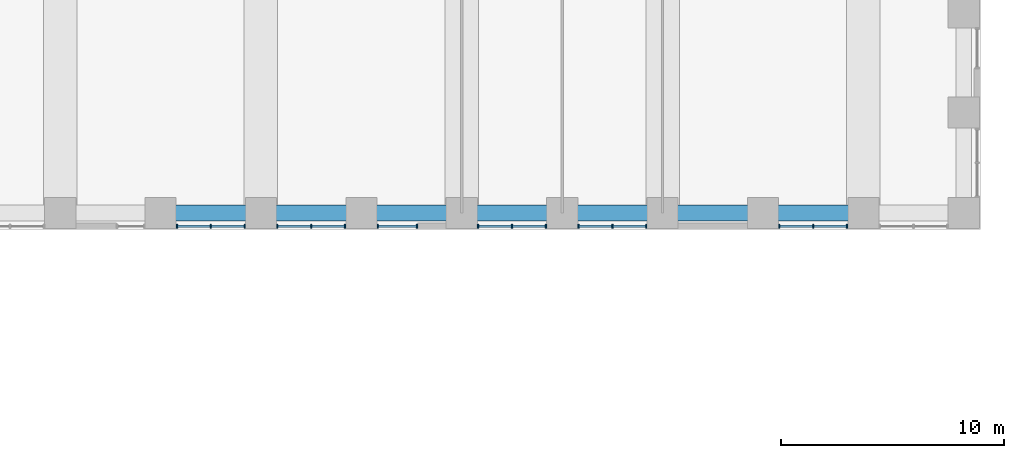
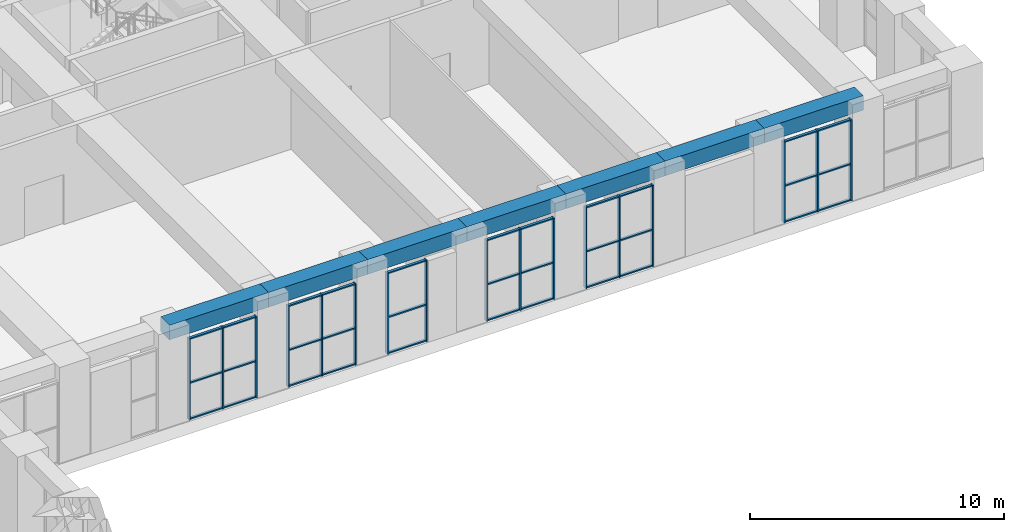
# One storey, part 6 of 30: 50 members, 7 beams, 6 elements without a shape of their own.
"""IFC4 building model written with IfcOpenShell, lengths in metres."""

from ifc_helpers import new_model, si_unit, direction, frame, origin, origin_2d, place, context, subcontext, project, spatial, rectangle, extrude, material, material_profile, profile_set, type_object, element, aggregate, save


model = new_model("IFC4")

# Units and contexts
model_context = context("Model", 3, precision=1e-05, world=origin(), true_north=direction((0.0, 1.0)))
body_context = subcontext(model_context, "Body", "Model", "MODEL_VIEW")
ifc_project = project(units=[si_unit("LENGTHUNIT", "METRE"), si_unit("AREAUNIT", "SQUARE_METRE"), si_unit("VOLUMEUNIT", "CUBIC_METRE"), si_unit("PLANEANGLEUNIT", "RADIAN"), si_unit("MASSUNIT", "GRAM", prefix="KILO")], contexts=[model_context])

# Site, building, storey
site_placement = place(None, origin())
site = spatial("IfcSite", under=ifc_project, at=site_placement, CompositionType="ELEMENT")
building_placement = place(site_placement, origin())
building = spatial("IfcBuilding", under=site, at=building_placement, Name="Firuza Court", CompositionType="ELEMENT")
storey_placement = place(building_placement, frame((0.0, 0.0, 9.0)))
storey = spatial("IfcBuildingStorey", under=building, at=storey_placement, Name="L01", CompositionType="ELEMENT", Elevation=9.0)

# Curtain wall, members
ifc_material_1 = material(Name="Aluminium curtain wall, triple clear glazing", Category="aluminium")
curtain_wall_type = type_object("IfcCurtainWallType", Name="Podium unitised curtain wall CW1", PredefinedType="NOTDEFINED", material=ifc_material_1)
curtain_wall_1_placement = place(storey_placement, origin())
curtain_wall_1 = element("IfcCurtainWall", 1, at=curtain_wall_1_placement, inside=storey, type_object=curtain_wall_type, Name="Podium unitised curtain wall CW1 L01", PredefinedType="NOTDEFINED")
ifc_material_2 = material(Name="Aluminium EN AW-6060 T66", Category="aluminium")
ifc_material_profile_1 = material_profile(ifc_material_2, rectangle(XDim=0.179931640625, YDim=0.06005859375, at=origin_2d()), Name="Mullion 180 x 60 CW1")
ifc_profile_set_1 = profile_set([ifc_material_profile_1], Name="Aluminium EN AW-6060 T66")
member_type_1 = type_object("IfcMemberType", Name="Mullion 180 x 60 CW1", PredefinedType="MULLION", material=ifc_profile_set_1)
member_1_placement = place(storey_placement, frame((32.22998046875, 35.39990234375, 0.0), z_axis=(0.0, 0.0, 1.0), x_axis=(0.0, 1.0, 0.0)))
member_1 = element("IfcMember", 2, at=member_1_placement, type_object=member_type_1, Name="CW1 mullion 1", PredefinedType="MULLION", context=body_context, shape_type="SweptSolid", body=[
    extrude(rectangle(XDim=0.179931640625, YDim=0.06005859375, at=origin_2d()), origin(), (0.0, 0.0, 1.0), 3.89990234375),
])
member_2_placement = place(storey_placement, frame((33.75, 35.39990234375, 0.0), z_axis=(0.0, 0.0, 1.0), x_axis=(0.0, 1.0, 0.0)))
member_2 = element("IfcMember", 3, at=member_2_placement, type_object=member_type_1, Name="CW1 mullion 2", PredefinedType="MULLION", context=body_context, shape_type="SweptSolid", body=[
    extrude(rectangle(XDim=0.179931640625, YDim=0.06005859375, at=origin_2d()), origin(), (0.0, 0.0, 1.0), 3.89990234375),
])
member_3_placement = place(storey_placement, frame((35.27001953125, 35.39990234375, 0.0), z_axis=(0.0, 0.0, 1.0), x_axis=(0.0, 1.0, 0.0)))
member_3 = element("IfcMember", 4, at=member_3_placement, type_object=member_type_1, Name="CW1 mullion 3", PredefinedType="MULLION", context=body_context, shape_type="SweptSolid", body=[
    extrude(rectangle(XDim=0.179931640625, YDim=0.06005859375, at=origin_2d()), origin(), (0.0, 0.0, 1.0), 3.89990234375),
])

curtain_wall_2_placement = place(storey_placement, origin())
curtain_wall_2 = element("IfcCurtainWall", 5, at=curtain_wall_2_placement, inside=storey, type_object=curtain_wall_type, Name="Podium unitised curtain wall CW1 L01", PredefinedType="NOTDEFINED")
member_4_placement = place(storey_placement, frame((36.72998046875, 35.39990234375, 0.0), z_axis=(0.0, 0.0, 1.0), x_axis=(0.0, 1.0, 0.0)))
member_4 = element("IfcMember", 6, at=member_4_placement, type_object=member_type_1, Name="CW1 mullion 1", PredefinedType="MULLION", context=body_context, shape_type="SweptSolid", body=[
    extrude(rectangle(XDim=0.179931640625, YDim=0.06005859375, at=origin_2d()), origin(), (0.0, 0.0, 1.0), 3.89990234375),
])
member_5_placement = place(storey_placement, frame((38.25, 35.39990234375, 0.0), z_axis=(0.0, 0.0, 1.0), x_axis=(0.0, 1.0, 0.0)))
member_5 = element("IfcMember", 7, at=member_5_placement, type_object=member_type_1, Name="CW1 mullion 2", PredefinedType="MULLION", context=body_context, shape_type="SweptSolid", body=[
    extrude(rectangle(XDim=0.179931640625, YDim=0.06005859375, at=origin_2d()), origin(), (0.0, 0.0, 1.0), 3.89990234375),
])
member_6_placement = place(storey_placement, frame((39.77001953125, 35.39990234375, 0.0), z_axis=(0.0, 0.0, 1.0), x_axis=(0.0, 1.0, 0.0)))
member_6 = element("IfcMember", 8, at=member_6_placement, type_object=member_type_1, Name="CW1 mullion 3", PredefinedType="MULLION", context=body_context, shape_type="SweptSolid", body=[
    extrude(rectangle(XDim=0.179931640625, YDim=0.06005859375, at=origin_2d()), origin(), (0.0, 0.0, 1.0), 3.89990234375),
])

curtain_wall_3_placement = place(storey_placement, origin())
curtain_wall_3 = element("IfcCurtainWall", 9, at=curtain_wall_3_placement, inside=storey, type_object=curtain_wall_type, Name="Podium unitised curtain wall CW1 L01", PredefinedType="NOTDEFINED")
member_7_placement = place(storey_placement, frame((41.22998046875, 35.39990234375, 0.0), z_axis=(0.0, 0.0, 1.0), x_axis=(0.0, 1.0, 0.0)))
member_7 = element("IfcMember", 10, at=member_7_placement, type_object=member_type_1, Name="CW1 mullion 1", PredefinedType="MULLION", context=body_context, shape_type="SweptSolid", body=[
    extrude(rectangle(XDim=0.179931640625, YDim=0.06005859375, at=origin_2d()), origin(), (0.0, 0.0, 1.0), 3.89990234375),
])
member_8_placement = place(storey_placement, frame((42.994873046875, 35.39990234375, 0.0), z_axis=(0.0, 0.0, 1.0), x_axis=(0.0, 1.0, 0.0)))
member_8 = element("IfcMember", 11, at=member_8_placement, type_object=member_type_1, Name="CW1 mullion 2", PredefinedType="MULLION", context=body_context, shape_type="SweptSolid", body=[
    extrude(rectangle(XDim=0.179931640625, YDim=0.06005859375, at=origin_2d()), origin(), (0.0, 0.0, 1.0), 3.89990234375),
])

curtain_wall_4_placement = place(storey_placement, origin())
curtain_wall_4 = element("IfcCurtainWall", 12, at=curtain_wall_4_placement, inside=storey, type_object=curtain_wall_type, Name="Podium unitised curtain wall CW1 L01", PredefinedType="NOTDEFINED")
member_9_placement = place(storey_placement, frame((45.72998046875, 35.39990234375, 0.0), z_axis=(0.0, 0.0, 1.0), x_axis=(0.0, 1.0, 0.0)))
member_9 = element("IfcMember", 13, at=member_9_placement, type_object=member_type_1, Name="CW1 mullion 1", PredefinedType="MULLION", context=body_context, shape_type="SweptSolid", body=[
    extrude(rectangle(XDim=0.179931640625, YDim=0.06005859375, at=origin_2d()), origin(), (0.0, 0.0, 1.0), 3.89990234375),
])
member_10_placement = place(storey_placement, frame((47.25, 35.39990234375, 0.0), z_axis=(0.0, 0.0, 1.0), x_axis=(0.0, 1.0, 0.0)))
member_10 = element("IfcMember", 14, at=member_10_placement, type_object=member_type_1, Name="CW1 mullion 2", PredefinedType="MULLION", context=body_context, shape_type="SweptSolid", body=[
    extrude(rectangle(XDim=0.179931640625, YDim=0.06005859375, at=origin_2d()), origin(), (0.0, 0.0, 1.0), 3.89990234375),
])
member_11_placement = place(storey_placement, frame((48.77001953125, 35.39990234375, 0.0), z_axis=(0.0, 0.0, 1.0), x_axis=(0.0, 1.0, 0.0)))
member_11 = element("IfcMember", 15, at=member_11_placement, type_object=member_type_1, Name="CW1 mullion 3", PredefinedType="MULLION", context=body_context, shape_type="SweptSolid", body=[
    extrude(rectangle(XDim=0.179931640625, YDim=0.06005859375, at=origin_2d()), origin(), (0.0, 0.0, 1.0), 3.89990234375),
])

curtain_wall_5_placement = place(storey_placement, origin())
curtain_wall_5 = element("IfcCurtainWall", 16, at=curtain_wall_5_placement, inside=storey, type_object=curtain_wall_type, Name="Podium unitised curtain wall CW1 L01", PredefinedType="NOTDEFINED")
member_12_placement = place(storey_placement, frame((50.22998046875, 35.39990234375, 0.0), z_axis=(0.0, 0.0, 1.0), x_axis=(0.0, 1.0, 0.0)))
member_12 = element("IfcMember", 17, at=member_12_placement, type_object=member_type_1, Name="CW1 mullion 1", PredefinedType="MULLION", context=body_context, shape_type="SweptSolid", body=[
    extrude(rectangle(XDim=0.179931640625, YDim=0.06005859375, at=origin_2d()), origin(), (0.0, 0.0, 1.0), 3.89990234375),
])
member_13_placement = place(storey_placement, frame((51.75, 35.39990234375, 0.0), z_axis=(0.0, 0.0, 1.0), x_axis=(0.0, 1.0, 0.0)))
member_13 = element("IfcMember", 18, at=member_13_placement, type_object=member_type_1, Name="CW1 mullion 2", PredefinedType="MULLION", context=body_context, shape_type="SweptSolid", body=[
    extrude(rectangle(XDim=0.179931640625, YDim=0.06005859375, at=origin_2d()), origin(), (0.0, 0.0, 1.0), 3.89990234375),
])
member_14_placement = place(storey_placement, frame((53.27001953125, 35.39990234375, 0.0), z_axis=(0.0, 0.0, 1.0), x_axis=(0.0, 1.0, 0.0)))
member_14 = element("IfcMember", 19, at=member_14_placement, type_object=member_type_1, Name="CW1 mullion 3", PredefinedType="MULLION", context=body_context, shape_type="SweptSolid", body=[
    extrude(rectangle(XDim=0.179931640625, YDim=0.06005859375, at=origin_2d()), origin(), (0.0, 0.0, 1.0), 3.89990234375),
])

curtain_wall_6_placement = place(storey_placement, origin())
curtain_wall_6 = element("IfcCurtainWall", 20, at=curtain_wall_6_placement, inside=storey, type_object=curtain_wall_type, Name="Podium unitised curtain wall CW1 L01", PredefinedType="NOTDEFINED")
member_15_placement = place(storey_placement, frame((59.22998046875, 35.39990234375, 0.0), z_axis=(0.0, 0.0, 1.0), x_axis=(0.0, 1.0, 0.0)))
member_15 = element("IfcMember", 21, at=member_15_placement, type_object=member_type_1, Name="CW1 mullion 1", PredefinedType="MULLION", context=body_context, shape_type="SweptSolid", body=[
    extrude(rectangle(XDim=0.179931640625, YDim=0.06005859375, at=origin_2d()), origin(), (0.0, 0.0, 1.0), 3.89990234375),
])
member_16_placement = place(storey_placement, frame((60.75, 35.39990234375, 0.0), z_axis=(0.0, 0.0, 1.0), x_axis=(0.0, 1.0, 0.0)))
member_16 = element("IfcMember", 22, at=member_16_placement, type_object=member_type_1, Name="CW1 mullion 2", PredefinedType="MULLION", context=body_context, shape_type="SweptSolid", body=[
    extrude(rectangle(XDim=0.179931640625, YDim=0.06005859375, at=origin_2d()), origin(), (0.0, 0.0, 1.0), 3.89990234375),
])
member_17_placement = place(storey_placement, frame((62.27001953125, 35.39990234375, 0.0), z_axis=(0.0, 0.0, 1.0), x_axis=(0.0, 1.0, 0.0)))
member_17 = element("IfcMember", 23, at=member_17_placement, type_object=member_type_1, Name="CW1 mullion 3", PredefinedType="MULLION", context=body_context, shape_type="SweptSolid", body=[
    extrude(rectangle(XDim=0.179931640625, YDim=0.06005859375, at=origin_2d()), origin(), (0.0, 0.0, 1.0), 3.89990234375),
])

# Beams
ifc_material_3 = material(Name="Concrete C40/50", Category="concrete")
ifc_material_profile_2 = material_profile(ifc_material_3, rectangle(XDim=0.699951171875, YDim=0.699951171875, at=origin_2d()), Name="RC 700x700")
ifc_profile_set_2 = profile_set([ifc_material_profile_2], Name="Concrete C40/50")
beam_type = type_object("IfcBeamType", Name="Spandrel beam RC 700x700 C40/50", PredefinedType="BEAM", material=ifc_profile_set_2)
for number, where, z_axis, x_axis, name in (
    (24, (31.5, 36.0, 4.25), (1.0, 0.0, 0.0), (0.0, 1.0, 0.0), "Spandrel beam SP8 level L02"),
    (25, (36.0, 36.0, 4.25), (1.0, 0.0, 0.0), (0.0, 1.0, 0.0), "Spandrel beam SP8 level L02"),
    (26, (40.5, 36.0, 4.25), (1.0, 0.0, 0.0), (0.0, 1.0, 0.0), "Spandrel beam SP8 level L02"),
    (27, (45.0, 36.0, 4.25), (1.0, 0.0, 0.0), (0.0, 1.0, 0.0), "Spandrel beam SP8 level L02"),
    (28, (49.5, 36.0, 4.25), (1.0, 0.0, 0.0), (0.0, 1.0, 0.0), "Spandrel beam SP8 level L02"),
    (29, (54.0, 36.0, 4.25), (1.0, 0.0, 0.0), (0.0, 1.0, 0.0), "Spandrel beam SP8 level L02"),
    (30, (58.5, 36.0, 4.25), (1.0, 0.0, 0.0), (0.0, 1.0, 0.0), "Spandrel beam SP8 level L02"),
):
    element("IfcBeam", number, at=place(storey_placement, frame(where, z_axis=z_axis, x_axis=x_axis)), inside=storey, type_object=beam_type, Name=name, PredefinedType="BEAM", context=body_context, shape_type="SweptSolid", body=[
        extrude(rectangle(XDim=0.699951171875, YDim=0.699951171875, at=origin_2d()), origin(), (0.0, 0.0, 1.0), 4.5),
    ])

# Member
ifc_material_4 = material(Name="Aluminium EN AW-6060 T66", Category="aluminium")
ifc_material_profile_3 = material_profile(ifc_material_4, rectangle(XDim=0.1201171875, YDim=0.06005859375, at=origin_2d()), Name="Transom 120 x 60 CW1")
ifc_profile_set_3 = profile_set([ifc_material_profile_3], Name="Aluminium EN AW-6060 T66")
member_type_2 = type_object("IfcMemberType", Name="Transom 120 x 60 CW1", PredefinedType="USERDEFINED", material=ifc_profile_set_3)
member_18_placement = place(storey_placement, frame((32.260009765625, 35.39990234375, 0.030029296875), z_axis=(1.0, 0.0, 0.0), x_axis=(0.0, 1.0, 0.0)))
member_18 = element("IfcMember", 31, at=member_18_placement, type_object=member_type_2, Name="CW1 transom 1.1", ObjectType="TRANSOM", PredefinedType="USERDEFINED", context=body_context, shape_type="SweptSolid", body=[
    extrude(rectangle(XDim=0.1201171875, YDim=0.06005859375, at=origin_2d()), origin(), (0.0, 0.0, 1.0), 1.4599609375),
])

member_19_placement = place(storey_placement, frame((32.260009765625, 35.39990234375, 1.7548828125), z_axis=(1.0, 0.0, 0.0), x_axis=(0.0, 1.0, 0.0)))
member_19 = element("IfcMember", 32, at=member_19_placement, type_object=member_type_2, Name="CW1 transom 1.2", ObjectType="TRANSOM", PredefinedType="USERDEFINED", context=body_context, shape_type="SweptSolid", body=[
    extrude(rectangle(XDim=0.1201171875, YDim=0.06005859375, at=origin_2d()), origin(), (0.0, 0.0, 1.0), 1.4599609375),
])

member_20_placement = place(storey_placement, frame((32.260009765625, 35.39990234375, 3.8701171875), z_axis=(1.0, 0.0, 0.0), x_axis=(0.0, 1.0, 0.0)))
member_20 = element("IfcMember", 33, at=member_20_placement, type_object=member_type_2, Name="CW1 transom 1.3", ObjectType="TRANSOM", PredefinedType="USERDEFINED", context=body_context, shape_type="SweptSolid", body=[
    extrude(rectangle(XDim=0.1201171875, YDim=0.06005859375, at=origin_2d()), origin(), (0.0, 0.0, 1.0), 1.4599609375),
])

member_21_placement = place(storey_placement, frame((33.780029296875, 35.39990234375, 0.030029296875), z_axis=(1.0, 0.0, 0.0), x_axis=(0.0, 1.0, 0.0)))
member_21 = element("IfcMember", 34, at=member_21_placement, type_object=member_type_2, Name="CW1 transom 2.1", ObjectType="TRANSOM", PredefinedType="USERDEFINED", context=body_context, shape_type="SweptSolid", body=[
    extrude(rectangle(XDim=0.1201171875, YDim=0.06005859375, at=origin_2d()), origin(), (0.0, 0.0, 1.0), 1.4599609375),
])

member_22_placement = place(storey_placement, frame((33.780029296875, 35.39990234375, 1.7548828125), z_axis=(1.0, 0.0, 0.0), x_axis=(0.0, 1.0, 0.0)))
member_22 = element("IfcMember", 35, at=member_22_placement, type_object=member_type_2, Name="CW1 transom 2.2", ObjectType="TRANSOM", PredefinedType="USERDEFINED", context=body_context, shape_type="SweptSolid", body=[
    extrude(rectangle(XDim=0.1201171875, YDim=0.06005859375, at=origin_2d()), origin(), (0.0, 0.0, 1.0), 1.4599609375),
])

member_23_placement = place(storey_placement, frame((33.780029296875, 35.39990234375, 3.8701171875), z_axis=(1.0, 0.0, 0.0), x_axis=(0.0, 1.0, 0.0)))
member_23 = element("IfcMember", 36, at=member_23_placement, type_object=member_type_2, Name="CW1 transom 2.3", ObjectType="TRANSOM", PredefinedType="USERDEFINED", context=body_context, shape_type="SweptSolid", body=[
    extrude(rectangle(XDim=0.1201171875, YDim=0.06005859375, at=origin_2d()), origin(), (0.0, 0.0, 1.0), 1.4599609375),
])

aggregate(curtain_wall_1, [member_1, member_2, member_3, member_18, member_19, member_20, member_21, member_22, member_23])

member_24_placement = place(storey_placement, frame((36.760009765625, 35.39990234375, 0.030029296875), z_axis=(1.0, 0.0, 0.0), x_axis=(0.0, 1.0, 0.0)))
member_24 = element("IfcMember", 37, at=member_24_placement, type_object=member_type_2, Name="CW1 transom 1.1", ObjectType="TRANSOM", PredefinedType="USERDEFINED", context=body_context, shape_type="SweptSolid", body=[
    extrude(rectangle(XDim=0.1201171875, YDim=0.06005859375, at=origin_2d()), origin(), (0.0, 0.0, 1.0), 1.4599609375),
])

member_25_placement = place(storey_placement, frame((36.760009765625, 35.39990234375, 1.7548828125), z_axis=(1.0, 0.0, 0.0), x_axis=(0.0, 1.0, 0.0)))
member_25 = element("IfcMember", 38, at=member_25_placement, type_object=member_type_2, Name="CW1 transom 1.2", ObjectType="TRANSOM", PredefinedType="USERDEFINED", context=body_context, shape_type="SweptSolid", body=[
    extrude(rectangle(XDim=0.1201171875, YDim=0.06005859375, at=origin_2d()), origin(), (0.0, 0.0, 1.0), 1.4599609375),
])

member_26_placement = place(storey_placement, frame((36.760009765625, 35.39990234375, 3.8701171875), z_axis=(1.0, 0.0, 0.0), x_axis=(0.0, 1.0, 0.0)))
member_26 = element("IfcMember", 39, at=member_26_placement, type_object=member_type_2, Name="CW1 transom 1.3", ObjectType="TRANSOM", PredefinedType="USERDEFINED", context=body_context, shape_type="SweptSolid", body=[
    extrude(rectangle(XDim=0.1201171875, YDim=0.06005859375, at=origin_2d()), origin(), (0.0, 0.0, 1.0), 1.4599609375),
])

member_27_placement = place(storey_placement, frame((38.280029296875, 35.39990234375, 0.030029296875), z_axis=(1.0, 0.0, 0.0), x_axis=(0.0, 1.0, 0.0)))
member_27 = element("IfcMember", 40, at=member_27_placement, type_object=member_type_2, Name="CW1 transom 2.1", ObjectType="TRANSOM", PredefinedType="USERDEFINED", context=body_context, shape_type="SweptSolid", body=[
    extrude(rectangle(XDim=0.1201171875, YDim=0.06005859375, at=origin_2d()), origin(), (0.0, 0.0, 1.0), 1.4599609375),
])

member_28_placement = place(storey_placement, frame((38.280029296875, 35.39990234375, 1.7548828125), z_axis=(1.0, 0.0, 0.0), x_axis=(0.0, 1.0, 0.0)))
member_28 = element("IfcMember", 41, at=member_28_placement, type_object=member_type_2, Name="CW1 transom 2.2", ObjectType="TRANSOM", PredefinedType="USERDEFINED", context=body_context, shape_type="SweptSolid", body=[
    extrude(rectangle(XDim=0.1201171875, YDim=0.06005859375, at=origin_2d()), origin(), (0.0, 0.0, 1.0), 1.4599609375),
])

member_29_placement = place(storey_placement, frame((38.280029296875, 35.39990234375, 3.8701171875), z_axis=(1.0, 0.0, 0.0), x_axis=(0.0, 1.0, 0.0)))
member_29 = element("IfcMember", 42, at=member_29_placement, type_object=member_type_2, Name="CW1 transom 2.3", ObjectType="TRANSOM", PredefinedType="USERDEFINED", context=body_context, shape_type="SweptSolid", body=[
    extrude(rectangle(XDim=0.1201171875, YDim=0.06005859375, at=origin_2d()), origin(), (0.0, 0.0, 1.0), 1.4599609375),
])

aggregate(curtain_wall_2, [member_4, member_5, member_6, member_24, member_25, member_26, member_27, member_28, member_29])

member_30_placement = place(storey_placement, frame((41.260009765625, 35.39990234375, 0.030029296875), z_axis=(1.0, 0.0, 0.0), x_axis=(0.0, 1.0, 0.0)))
member_30 = element("IfcMember", 43, at=member_30_placement, type_object=member_type_2, Name="CW1 transom 1.1", ObjectType="TRANSOM", PredefinedType="USERDEFINED", context=body_context, shape_type="SweptSolid", body=[
    extrude(rectangle(XDim=0.1201171875, YDim=0.06005859375, at=origin_2d()), origin(), (0.0, 0.0, 1.0), 1.704833984375),
])

member_31_placement = place(storey_placement, frame((41.260009765625, 35.39990234375, 1.7548828125), z_axis=(1.0, 0.0, 0.0), x_axis=(0.0, 1.0, 0.0)))
member_31 = element("IfcMember", 44, at=member_31_placement, type_object=member_type_2, Name="CW1 transom 1.2", ObjectType="TRANSOM", PredefinedType="USERDEFINED", context=body_context, shape_type="SweptSolid", body=[
    extrude(rectangle(XDim=0.1201171875, YDim=0.06005859375, at=origin_2d()), origin(), (0.0, 0.0, 1.0), 1.704833984375),
])

member_32_placement = place(storey_placement, frame((41.260009765625, 35.39990234375, 3.8701171875), z_axis=(1.0, 0.0, 0.0), x_axis=(0.0, 1.0, 0.0)))
member_32 = element("IfcMember", 45, at=member_32_placement, type_object=member_type_2, Name="CW1 transom 1.3", ObjectType="TRANSOM", PredefinedType="USERDEFINED", context=body_context, shape_type="SweptSolid", body=[
    extrude(rectangle(XDim=0.1201171875, YDim=0.06005859375, at=origin_2d()), origin(), (0.0, 0.0, 1.0), 1.704833984375),
])

aggregate(curtain_wall_3, [member_7, member_8, member_30, member_31, member_32])

member_33_placement = place(storey_placement, frame((45.760009765625, 35.39990234375, 0.030029296875), z_axis=(1.0, 0.0, 0.0), x_axis=(0.0, 1.0, 0.0)))
member_33 = element("IfcMember", 46, at=member_33_placement, type_object=member_type_2, Name="CW1 transom 1.1", ObjectType="TRANSOM", PredefinedType="USERDEFINED", context=body_context, shape_type="SweptSolid", body=[
    extrude(rectangle(XDim=0.1201171875, YDim=0.06005859375, at=origin_2d()), origin(), (0.0, 0.0, 1.0), 1.4599609375),
])

member_34_placement = place(storey_placement, frame((45.760009765625, 35.39990234375, 1.7548828125), z_axis=(1.0, 0.0, 0.0), x_axis=(0.0, 1.0, 0.0)))
member_34 = element("IfcMember", 47, at=member_34_placement, type_object=member_type_2, Name="CW1 transom 1.2", ObjectType="TRANSOM", PredefinedType="USERDEFINED", context=body_context, shape_type="SweptSolid", body=[
    extrude(rectangle(XDim=0.1201171875, YDim=0.06005859375, at=origin_2d()), origin(), (0.0, 0.0, 1.0), 1.4599609375),
])

member_35_placement = place(storey_placement, frame((45.760009765625, 35.39990234375, 3.8701171875), z_axis=(1.0, 0.0, 0.0), x_axis=(0.0, 1.0, 0.0)))
member_35 = element("IfcMember", 48, at=member_35_placement, type_object=member_type_2, Name="CW1 transom 1.3", ObjectType="TRANSOM", PredefinedType="USERDEFINED", context=body_context, shape_type="SweptSolid", body=[
    extrude(rectangle(XDim=0.1201171875, YDim=0.06005859375, at=origin_2d()), origin(), (0.0, 0.0, 1.0), 1.4599609375),
])

member_36_placement = place(storey_placement, frame((47.280029296875, 35.39990234375, 0.030029296875), z_axis=(1.0, 0.0, 0.0), x_axis=(0.0, 1.0, 0.0)))
member_36 = element("IfcMember", 49, at=member_36_placement, type_object=member_type_2, Name="CW1 transom 2.1", ObjectType="TRANSOM", PredefinedType="USERDEFINED", context=body_context, shape_type="SweptSolid", body=[
    extrude(rectangle(XDim=0.1201171875, YDim=0.06005859375, at=origin_2d()), origin(), (0.0, 0.0, 1.0), 1.4599609375),
])

member_37_placement = place(storey_placement, frame((47.280029296875, 35.39990234375, 1.7548828125), z_axis=(1.0, 0.0, 0.0), x_axis=(0.0, 1.0, 0.0)))
member_37 = element("IfcMember", 50, at=member_37_placement, type_object=member_type_2, Name="CW1 transom 2.2", ObjectType="TRANSOM", PredefinedType="USERDEFINED", context=body_context, shape_type="SweptSolid", body=[
    extrude(rectangle(XDim=0.1201171875, YDim=0.06005859375, at=origin_2d()), origin(), (0.0, 0.0, 1.0), 1.4599609375),
])

member_38_placement = place(storey_placement, frame((47.280029296875, 35.39990234375, 3.8701171875), z_axis=(1.0, 0.0, 0.0), x_axis=(0.0, 1.0, 0.0)))
member_38 = element("IfcMember", 51, at=member_38_placement, type_object=member_type_2, Name="CW1 transom 2.3", ObjectType="TRANSOM", PredefinedType="USERDEFINED", context=body_context, shape_type="SweptSolid", body=[
    extrude(rectangle(XDim=0.1201171875, YDim=0.06005859375, at=origin_2d()), origin(), (0.0, 0.0, 1.0), 1.4599609375),
])

aggregate(curtain_wall_4, [member_9, member_10, member_11, member_33, member_34, member_35, member_36, member_37, member_38])

member_39_placement = place(storey_placement, frame((50.260009765625, 35.39990234375, 0.030029296875), z_axis=(1.0, 0.0, 0.0), x_axis=(0.0, 1.0, 0.0)))
member_39 = element("IfcMember", 52, at=member_39_placement, type_object=member_type_2, Name="CW1 transom 1.1", ObjectType="TRANSOM", PredefinedType="USERDEFINED", context=body_context, shape_type="SweptSolid", body=[
    extrude(rectangle(XDim=0.1201171875, YDim=0.06005859375, at=origin_2d()), origin(), (0.0, 0.0, 1.0), 1.4599609375),
])

member_40_placement = place(storey_placement, frame((50.260009765625, 35.39990234375, 1.7548828125), z_axis=(1.0, 0.0, 0.0), x_axis=(0.0, 1.0, 0.0)))
member_40 = element("IfcMember", 53, at=member_40_placement, type_object=member_type_2, Name="CW1 transom 1.2", ObjectType="TRANSOM", PredefinedType="USERDEFINED", context=body_context, shape_type="SweptSolid", body=[
    extrude(rectangle(XDim=0.1201171875, YDim=0.06005859375, at=origin_2d()), origin(), (0.0, 0.0, 1.0), 1.4599609375),
])

member_41_placement = place(storey_placement, frame((50.260009765625, 35.39990234375, 3.8701171875), z_axis=(1.0, 0.0, 0.0), x_axis=(0.0, 1.0, 0.0)))
member_41 = element("IfcMember", 54, at=member_41_placement, type_object=member_type_2, Name="CW1 transom 1.3", ObjectType="TRANSOM", PredefinedType="USERDEFINED", context=body_context, shape_type="SweptSolid", body=[
    extrude(rectangle(XDim=0.1201171875, YDim=0.06005859375, at=origin_2d()), origin(), (0.0, 0.0, 1.0), 1.4599609375),
])

member_42_placement = place(storey_placement, frame((51.780029296875, 35.39990234375, 0.030029296875), z_axis=(1.0, 0.0, 0.0), x_axis=(0.0, 1.0, 0.0)))
member_42 = element("IfcMember", 55, at=member_42_placement, type_object=member_type_2, Name="CW1 transom 2.1", ObjectType="TRANSOM", PredefinedType="USERDEFINED", context=body_context, shape_type="SweptSolid", body=[
    extrude(rectangle(XDim=0.1201171875, YDim=0.06005859375, at=origin_2d()), origin(), (0.0, 0.0, 1.0), 1.4599609375),
])

member_43_placement = place(storey_placement, frame((51.780029296875, 35.39990234375, 1.7548828125), z_axis=(1.0, 0.0, 0.0), x_axis=(0.0, 1.0, 0.0)))
member_43 = element("IfcMember", 56, at=member_43_placement, type_object=member_type_2, Name="CW1 transom 2.2", ObjectType="TRANSOM", PredefinedType="USERDEFINED", context=body_context, shape_type="SweptSolid", body=[
    extrude(rectangle(XDim=0.1201171875, YDim=0.06005859375, at=origin_2d()), origin(), (0.0, 0.0, 1.0), 1.4599609375),
])

member_44_placement = place(storey_placement, frame((51.780029296875, 35.39990234375, 3.8701171875), z_axis=(1.0, 0.0, 0.0), x_axis=(0.0, 1.0, 0.0)))
member_44 = element("IfcMember", 57, at=member_44_placement, type_object=member_type_2, Name="CW1 transom 2.3", ObjectType="TRANSOM", PredefinedType="USERDEFINED", context=body_context, shape_type="SweptSolid", body=[
    extrude(rectangle(XDim=0.1201171875, YDim=0.06005859375, at=origin_2d()), origin(), (0.0, 0.0, 1.0), 1.4599609375),
])

aggregate(curtain_wall_5, [member_12, member_13, member_14, member_39, member_40, member_41, member_42, member_43, member_44])

member_45_placement = place(storey_placement, frame((59.260009765625, 35.39990234375, 0.030029296875), z_axis=(1.0, 0.0, 0.0), x_axis=(0.0, 1.0, 0.0)))
member_45 = element("IfcMember", 58, at=member_45_placement, type_object=member_type_2, Name="CW1 transom 1.1", ObjectType="TRANSOM", PredefinedType="USERDEFINED", context=body_context, shape_type="SweptSolid", body=[
    extrude(rectangle(XDim=0.1201171875, YDim=0.06005859375, at=origin_2d()), origin(), (0.0, 0.0, 1.0), 1.4599609375),
])

member_46_placement = place(storey_placement, frame((59.260009765625, 35.39990234375, 1.7548828125), z_axis=(1.0, 0.0, 0.0), x_axis=(0.0, 1.0, 0.0)))
member_46 = element("IfcMember", 59, at=member_46_placement, type_object=member_type_2, Name="CW1 transom 1.2", ObjectType="TRANSOM", PredefinedType="USERDEFINED", context=body_context, shape_type="SweptSolid", body=[
    extrude(rectangle(XDim=0.1201171875, YDim=0.06005859375, at=origin_2d()), origin(), (0.0, 0.0, 1.0), 1.4599609375),
])

member_47_placement = place(storey_placement, frame((59.260009765625, 35.39990234375, 3.8701171875), z_axis=(1.0, 0.0, 0.0), x_axis=(0.0, 1.0, 0.0)))
member_47 = element("IfcMember", 60, at=member_47_placement, type_object=member_type_2, Name="CW1 transom 1.3", ObjectType="TRANSOM", PredefinedType="USERDEFINED", context=body_context, shape_type="SweptSolid", body=[
    extrude(rectangle(XDim=0.1201171875, YDim=0.06005859375, at=origin_2d()), origin(), (0.0, 0.0, 1.0), 1.4599609375),
])

member_48_placement = place(storey_placement, frame((60.780029296875, 35.39990234375, 0.030029296875), z_axis=(1.0, 0.0, 0.0), x_axis=(0.0, 1.0, 0.0)))
member_48 = element("IfcMember", 61, at=member_48_placement, type_object=member_type_2, Name="CW1 transom 2.1", ObjectType="TRANSOM", PredefinedType="USERDEFINED", context=body_context, shape_type="SweptSolid", body=[
    extrude(rectangle(XDim=0.1201171875, YDim=0.06005859375, at=origin_2d()), origin(), (0.0, 0.0, 1.0), 1.4599609375),
])

member_49_placement = place(storey_placement, frame((60.780029296875, 35.39990234375, 1.7548828125), z_axis=(1.0, 0.0, 0.0), x_axis=(0.0, 1.0, 0.0)))
member_49 = element("IfcMember", 62, at=member_49_placement, type_object=member_type_2, Name="CW1 transom 2.2", ObjectType="TRANSOM", PredefinedType="USERDEFINED", context=body_context, shape_type="SweptSolid", body=[
    extrude(rectangle(XDim=0.1201171875, YDim=0.06005859375, at=origin_2d()), origin(), (0.0, 0.0, 1.0), 1.4599609375),
])

member_50_placement = place(storey_placement, frame((60.780029296875, 35.39990234375, 3.8701171875), z_axis=(1.0, 0.0, 0.0), x_axis=(0.0, 1.0, 0.0)))
member_50 = element("IfcMember", 63, at=member_50_placement, type_object=member_type_2, Name="CW1 transom 2.3", ObjectType="TRANSOM", PredefinedType="USERDEFINED", context=body_context, shape_type="SweptSolid", body=[
    extrude(rectangle(XDim=0.1201171875, YDim=0.06005859375, at=origin_2d()), origin(), (0.0, 0.0, 1.0), 1.4599609375),
])

aggregate(curtain_wall_6, [member_15, member_16, member_17, member_45, member_46, member_47, member_48, member_49, member_50])

save(model, "model.ifc")
